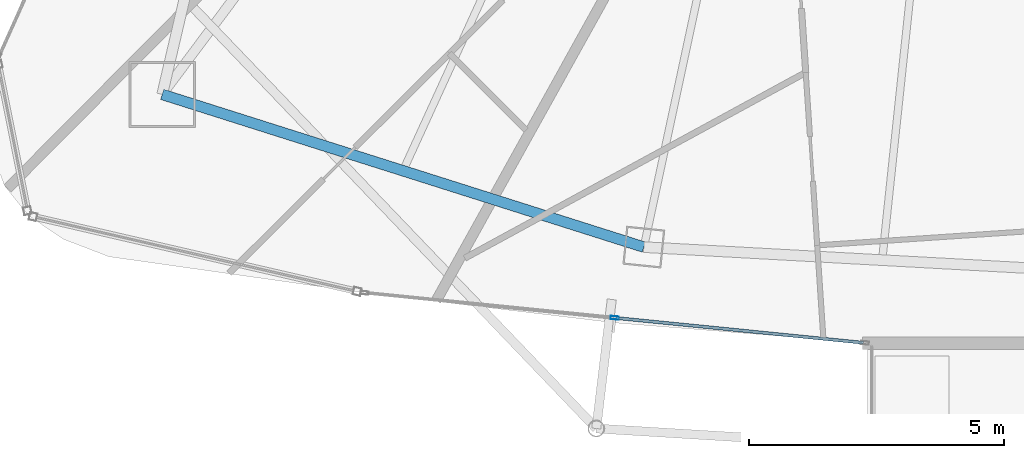
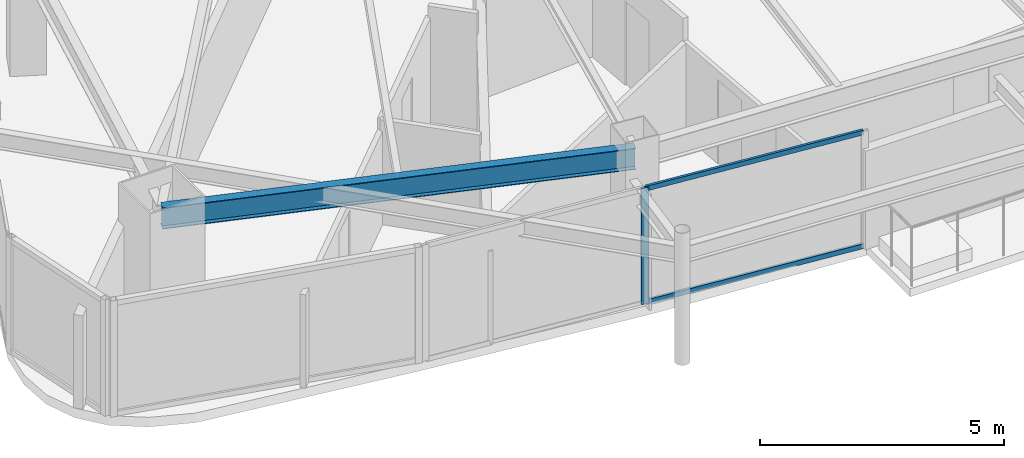
# One storey, part 4 of 29: 3 members, 1 beam, 1 element without a shape of its own.
"""IFC4 building model written with IfcOpenShell, lengths in metres."""

import ifcopenshell
import ifcopenshell.guid

model = None  # the IFC model being written
_history = None  # IfcOwnerHistory: only IFC2X3 demands one
_inside = {}  # id of a spatial element -> (the spatial element, [elements in it])
_under = {}  # id of a project, library or spatial element -> (it, [spatial elements below it])
_declared = {}  # id of a project -> (the project, [libraries it declares])
_typed = {}  # id of a type object -> (the type object, [elements of that type])
_made_of = {}  # id of a material, layer set ... -> (it, [elements and type objects made of it])


def new_model(schema):
    """Start an empty IFC model of exactly this schema.

    Asked for "IFC4X3", IfcOpenShell would pick the latest addendum, in which some entities
    have other attributes; the version numbers below select the first issue.
    IFC2X3 requires an IfcOwnerHistory on every rooted entity: one is made here for all.
    """
    global model, _history
    if schema == "IFC4X3":
        model = ifcopenshell.file(schema_version=(4, 3, 0, 0))
    else:
        model = ifcopenshell.file(schema=schema)
    _inside.clear()
    _under.clear()
    _declared.clear()
    _typed.clear()
    _made_of.clear()
    _history = None
    if model.schema == "IFC2X3":
        org = make("IfcOrganization", Name="unknown")
        user = make(
            "IfcPersonAndOrganization",
            ThePerson=make("IfcPerson", FamilyName="unknown"),
            TheOrganization=org,
        )
        app = make(
            "IfcApplication",
            ApplicationDeveloper=org,
            Version="unknown",
            ApplicationFullName="unknown",
            ApplicationIdentifier="unknown",
        )
        _history = make(
            "IfcOwnerHistory",
            OwningUser=user,
            OwningApplication=app,
            ChangeAction="ADDED",
            CreationDate=0,
        )
    return model


def make(cls, **values):
    """One entity of the class cls with the attributes given. An attribute that is None is left unset."""
    return model.create_entity(
        cls, **{name: value for name, value in values.items() if value is not None}
    )


def rooted(cls, **values):
    """An entity with a GlobalId (a new one), such as an element, a storey or a relation."""
    return make(cls, GlobalId=ifcopenshell.guid.new(), OwnerHistory=_history, **values)


def si_unit(unit_type, name, prefix=None):
    """IfcSIUnit, for example si_unit("LENGTHUNIT", "METRE", prefix="MILLI")."""
    return make("IfcSIUnit", UnitType=unit_type, Prefix=prefix, Name=name)


def assignment(units):
    """IfcUnitAssignment: the units of a project."""
    return None if units is None else make("IfcUnitAssignment", Units=units)


def point(xyz):
    """IfcCartesianPoint."""
    return None if xyz is None else make("IfcCartesianPoint", Coordinates=xyz)


def direction(xyz):
    """IfcDirection."""
    return None if xyz is None else make("IfcDirection", DirectionRatios=xyz)


def frame(location, z_axis=None, x_axis=None):
    """IfcAxis2Placement3D, a coordinate frame: its origin and axes. An axis left out is left unset."""
    return make(
        "IfcAxis2Placement3D",
        Location=point(location),
        Axis=direction(z_axis),
        RefDirection=direction(x_axis),
    )


def frame_2d(location, x_axis=None):
    """IfcAxis2Placement2D, a coordinate frame in the plane: its origin and x axis."""
    return make(
        "IfcAxis2Placement2D", Location=point(location), RefDirection=direction(x_axis)
    )


def origin():
    """The frame at (0, 0, 0) with its axes left unset."""
    return frame((0.0, 0.0, 0.0))


def origin_2d():
    """The frame at (0, 0) in the plane with its x axis left unset."""
    return frame_2d((0.0, 0.0))


def place(relative_to, where):
    """IfcLocalPlacement: puts the frame where relative to a parent placement (None: the world)."""
    return make(
        "IfcLocalPlacement", PlacementRelTo=relative_to, RelativePlacement=where
    )


def context(
    kind, dimensions, precision=None, world=None, true_north=None, identifier=None
):
    """IfcGeometricRepresentationContext, for example the 3D "Model" context."""
    return make(
        "IfcGeometricRepresentationContext",
        ContextIdentifier=identifier,
        ContextType=kind,
        CoordinateSpaceDimension=dimensions,
        Precision=precision,
        WorldCoordinateSystem=world,
        TrueNorth=true_north,
    )


def subcontext(parent, identifier, kind, view, scale=None):
    """IfcGeometricRepresentationSubContext, for example "Body" below "Model"."""
    return make(
        "IfcGeometricRepresentationSubContext",
        ContextIdentifier=identifier,
        ContextType=kind,
        ParentContext=parent,
        TargetScale=scale,
        TargetView=view,
    )


def project(units=None, contexts=None):
    """IfcProject with its units and contexts."""
    return rooted(
        "IfcProject",
        Name="project",
        RepresentationContexts=contexts,
        UnitsInContext=assignment(units),
    )


def spatial(cls, under=None, at=None, **own):
    """A site, building, storey or space (cls), placed at a placement, below another one or the project."""
    s = rooted(cls, ObjectPlacement=at, **own)
    if under is not None:
        _under.setdefault(under.id(), (under, []))[1].append(s)
    return s


def profile(cls, at=None, kind="AREA", **sizes):
    """A parametric profile (cls). Its sizes go by their IFC names, for example OverallWidth=200.0."""
    return make(cls, ProfileType=kind, Position=at, **sizes)


def hollow_rectangle(**sizes):
    """IfcRectangleHollowProfileDef."""
    return profile("IfcRectangleHollowProfileDef", **sizes)


def i_section(**sizes):
    """IfcIShapeProfileDef."""
    return profile("IfcIShapeProfileDef", **sizes)


def extrude(swept, where, along, depth):
    """IfcExtrudedAreaSolid: the profile swept, set in the frame where, extruded along a direction by depth."""
    return make(
        "IfcExtrudedAreaSolid",
        SweptArea=swept,
        Position=where,
        ExtrudedDirection=direction(along),
        Depth=depth,
    )


def shape(context_of_items, identifier, shape_type, items):
    """IfcShapeRepresentation: the items that make up one representation, for example the "Body"."""
    return make(
        "IfcShapeRepresentation",
        ContextOfItems=context_of_items,
        RepresentationIdentifier=identifier,
        RepresentationType=shape_type,
        Items=items,
    )


def material(Name=None, Category=None):
    """IfcMaterial."""
    return make("IfcMaterial", Name=Name, Category=Category)


def layer(
    of_material, thickness, ventilated=None, Name=None, Category=None, Priority=None
):
    """IfcMaterialLayer: one layer of a wall or slab, of a material (None: an air gap)."""
    return make(
        "IfcMaterialLayer",
        Material=of_material,
        LayerThickness=thickness,
        IsVentilated=ventilated,
        Name=Name,
        Category=Category,
        Priority=Priority,
    )


def layer_set(layers, Name=None):
    """IfcMaterialLayerSet."""
    return make("IfcMaterialLayerSet", MaterialLayers=layers, LayerSetName=Name)


def material_profile(
    of_material, cross_section, Name=None, Category=None, Priority=None
):
    """IfcMaterialProfile: a cross section and its material."""
    return make(
        "IfcMaterialProfile",
        Name=Name,
        Material=of_material,
        Profile=cross_section,
        Priority=Priority,
        Category=Category,
    )


def profile_set(profiles, Name=None, composite=None):
    """IfcMaterialProfileSet."""
    return make(
        "IfcMaterialProfileSet",
        Name=Name,
        MaterialProfiles=profiles,
        CompositeProfile=composite,
    )


def made_of(thing, what):
    """Note that an element or type object is made of a material, layer set ...; save() writes the relation."""
    if what is not None:
        _made_of.setdefault(what.id(), (what, []))[1].append(thing)
    return thing


def type_object(cls, material=None, **own):
    """A type object (cls), such as IfcWallType, which elements share."""
    return made_of(rooted(cls, **own), material)


def element(
    cls,
    number,
    at=None,
    inside=None,
    cuts=None,
    type_object=None,
    material=None,
    context=None,
    identifier="Body",
    shape_type=None,
    held_by="IfcProductDefinitionShape",
    body=None,
    shapes=None,
    **own,
):
    """One element of the class cls, such as IfcWall. Its Tag is "e" and its number.

    at: its placement. inside: the storey or other place that contains it. cuts: it is an
    opening in that element (IfcRelVoidsElement). A single representation is given by context,
    identifier, shape_type and body (its items); several are given by shapes. held_by: the class
    of the entity that holds the representations. save() writes the other relations.
    """
    e = rooted(cls, Tag="e%d" % number, ObjectPlacement=at, **own)
    if body is not None:
        shapes = [shape(context, identifier, shape_type, body)]
    if shapes is not None:
        e.Representation = make(held_by, Representations=shapes)
    if inside is not None:
        _inside.setdefault(inside.id(), (inside, []))[1].append(e)
    if cuts is not None:
        rooted(
            "IfcRelVoidsElement", RelatingBuildingElement=cuts, RelatedOpeningElement=e
        )
    if type_object is not None:
        _typed.setdefault(type_object.id(), (type_object, []))[1].append(e)
    return made_of(e, material)


def aggregate(whole, parts):
    """IfcRelAggregates: a whole, such as a stair, and the parts it consists of."""
    return rooted("IfcRelAggregates", RelatingObject=whole, RelatedObjects=parts)


def save(model, path):
    """Write the relations noted so far, then the file.

    IfcRelAggregates (storeys below a building ...), IfcRelContainedInSpatialStructure (elements
    in a storey), IfcRelDefinesByType, IfcRelAssociatesMaterial and IfcRelDeclares: one each for
    every whole, place, type object, material and project.
    """
    for whole, parts in _under.values():
        aggregate(whole, parts)
    for where, things in _inside.values():
        rooted(
            "IfcRelContainedInSpatialStructure",
            RelatedElements=things,
            RelatingStructure=where,
        )
    for kind, things in _typed.values():
        rooted("IfcRelDefinesByType", RelatedObjects=things, RelatingType=kind)
    for what, things in _made_of.values():
        rooted("IfcRelAssociatesMaterial", RelatedObjects=things, RelatingMaterial=what)
    for by, libraries in _declared.values():
        rooted("IfcRelDeclares", RelatingContext=by, RelatedDefinitions=libraries)
    model.write(path)


model = new_model("IFC4")

# Units and contexts
model_context = context("Model", 3, precision=1e-05, world=origin(), true_north=direction((0.0, 1.0)))
body_context = subcontext(model_context, "Body", "Model", "MODEL_VIEW")
ifc_project = project(units=[si_unit("LENGTHUNIT", "METRE"), si_unit("AREAUNIT", "SQUARE_METRE"), si_unit("VOLUMEUNIT", "CUBIC_METRE"), si_unit("PLANEANGLEUNIT", "RADIAN"), si_unit("MASSUNIT", "GRAM", prefix="KILO")], contexts=[model_context])

# Site, building, storey
site_placement = place(None, origin())
site = spatial("IfcSite", under=ifc_project, at=site_placement, CompositionType="ELEMENT")
building_placement = place(site_placement, origin())
building = spatial("IfcBuilding", under=site, at=building_placement, Name="Orvanel Arch Residences", CompositionType="ELEMENT")
storey_placement = place(building_placement, frame((0.0, 0.0, 253.550048828125)))
storey = spatial("IfcBuildingStorey", under=building, at=storey_placement, Name="L72", CompositionType="ELEMENT", Elevation=253.550048828125)

# Curtain wall, member
ifc_material_1 = material(Name="Bronze-anodised aluminium AA6063-T6", Category="aluminium")
ifc_layer = layer(ifc_material_1, 0.175048828125)
ifc_layer_set = layer_set([ifc_layer], Name="Bronze-anodised aluminium AA6063-T6")
curtain_wall_type = type_object("IfcCurtainWallType", Name="CW4-HI-SYS", PredefinedType="NOTDEFINED", material=ifc_layer_set)
curtain_wall_placement = place(storey_placement, origin())
curtain_wall = element("IfcCurtainWall", 1, at=curtain_wall_placement, inside=storey, type_object=curtain_wall_type, Name="L72 CW4-HI-SYS Unitised Curtain Wall", PredefinedType="NOTDEFINED")
ifc_material_profile_1 = material_profile(ifc_material_1, hollow_rectangle(XDim=0.06494140625, YDim=0.159912109375, WallThickness=0.00390625, at=origin_2d()), Name="ALU160x65x4")
ifc_profile_set_1 = profile_set([ifc_material_profile_1], Name="Bronze-anodised aluminium AA6063-T6")
member_type_1 = type_object("IfcMemberType", Name="MUL-160x65", PredefinedType="MULLION", material=ifc_profile_set_1)
member_1_placement = place(storey_placement, frame((23.077880859375, 5.966552734375, 0.0), z_axis=(0.0, 0.0, 1.0), x_axis=(0.099583474002, 0.995029211484, 0.0)))
member_1 = element("IfcMember", 2, at=member_1_placement, type_object=member_type_1, Name="CW-S4 mullion 2", PredefinedType="MULLION", context=body_context, shape_type="SweptSolid", body=[
    extrude(hollow_rectangle(XDim=0.06494140625, YDim=0.159912109375, WallThickness=0.00390625, at=origin_2d()), origin(), (0.0, 0.0, 1.0), 2.89990234375),
])

# Beam
ifc_material_2 = material(Name="Structural steel AS/NZS 3679.1 Grade 300 (300 MPa)", Category="steel")
ifc_material_profile_2 = material_profile(ifc_material_2, i_section(OverallWidth=0.208984375, OverallDepth=0.532958984375, WebThickness=0.01025390625, FlangeThickness=0.015625, at=origin_2d()), Name="530UB92.4")
ifc_profile_set_2 = profile_set([ifc_material_profile_2], Name="Structural steel AS/NZS 3679.1 Grade 300 (300 MPa)")
beam_type = type_object("IfcBeamType", Name="SP-530UB", PredefinedType="SPANDREL", material=ifc_profile_set_2)
beam_placement = place(storey_placement, frame((14.198974609375, 10.35107421875, 2.633056640625), z_axis=(0.953237386592, -0.302222574941, 0.0), x_axis=(0.302222574941, 0.953237386592, 0.0)))
element("IfcBeam", 3, at=beam_placement, inside=storey, type_object=beam_type, Name="L72 Perimeter Spandrel Beam 02", PredefinedType="SPANDREL", context=body_context, shape_type="SweptSolid", body=[
    extrude(i_section(OverallWidth=0.208984375, OverallDepth=0.532958984375, WebThickness=0.01025390625, FlangeThickness=0.015625, at=origin_2d()), origin(), (0.0, 0.0, 1.0), 9.91357421875),
])

# Member
ifc_material_profile_3 = material_profile(ifc_material_1, hollow_rectangle(XDim=0.06005859375, YDim=0.1201171875, WallThickness=0.00341796875, at=origin_2d()), Name="ALU120x60x3.5")
ifc_profile_set_3 = profile_set([ifc_material_profile_3], Name="Bronze-anodised aluminium AA6063-T6")
member_type_2 = type_object("IfcMemberType", Name="TRN-120x60", PredefinedType="USERDEFINED", material=ifc_profile_set_3)
member_2_placement = place(storey_placement, frame((23.1103515625, 5.96337890625, 0.030029296875), z_axis=(0.995027751564, -0.09959806031, 0.0), x_axis=(0.09959806031, 0.995027751564, 0.0)))
member_2 = element("IfcMember", 4, at=member_2_placement, type_object=member_type_2, Name="CW-S4 transom 2.1", ObjectType="TRANSOM", PredefinedType="USERDEFINED", context=body_context, shape_type="SweptSolid", body=[
    extrude(hollow_rectangle(XDim=0.06005859375, YDim=0.1201171875, WallThickness=0.00341796875, at=origin_2d()), origin(), (0.0, 0.0, 1.0), 4.8681640625),
])

member_3_placement = place(storey_placement, frame((23.1103515625, 5.96337890625, 2.869873046875), z_axis=(0.995027751564, -0.09959806031, 0.0), x_axis=(0.09959806031, 0.995027751564, 0.0)))
member_3 = element("IfcMember", 5, at=member_3_placement, type_object=member_type_2, Name="CW-S4 transom 2.2", ObjectType="TRANSOM", PredefinedType="USERDEFINED", context=body_context, shape_type="SweptSolid", body=[
    extrude(hollow_rectangle(XDim=0.06005859375, YDim=0.1201171875, WallThickness=0.00341796875, at=origin_2d()), origin(), (0.0, 0.0, 1.0), 4.8681640625),
])

aggregate(curtain_wall, [member_1, member_2, member_3])

save(model, "model.ifc")
